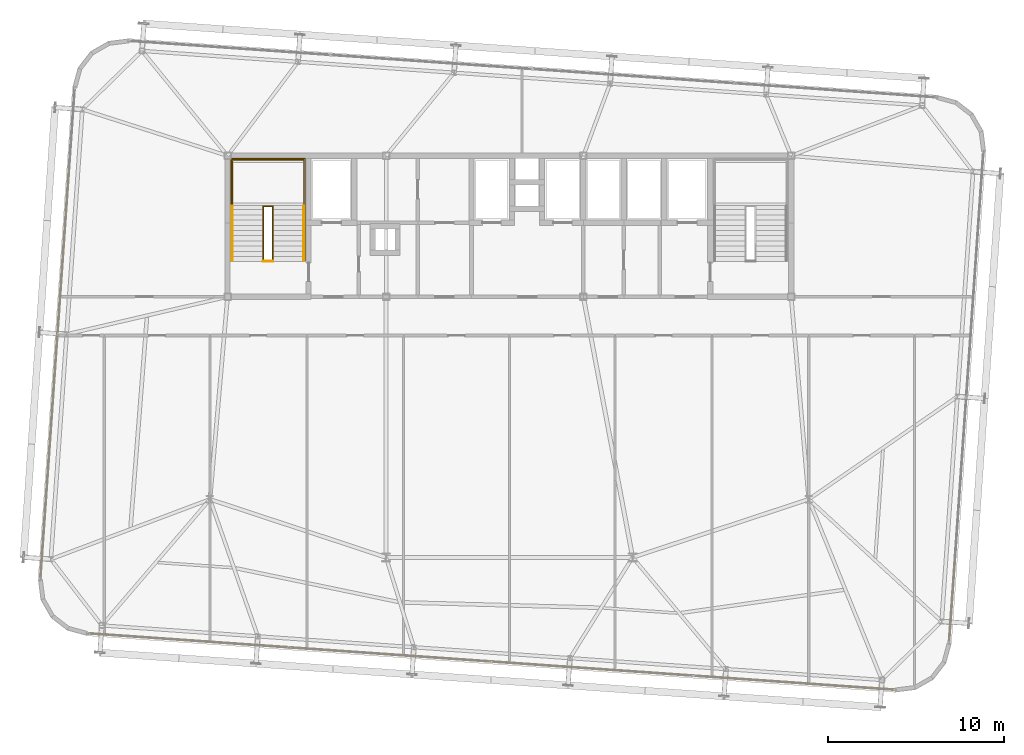
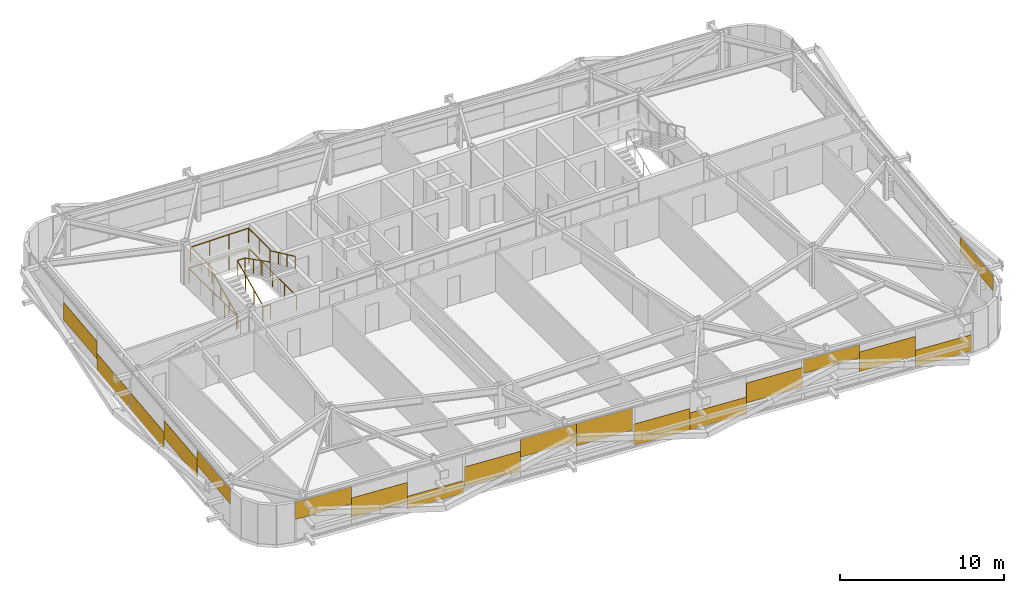
# One storey, part 38 of 39: 18 coverings, 6 railings.
"""IFC4 building model written with IfcOpenShell, lengths in metres."""

from ifc_helpers import new_model, si_unit, direction, frame, origin, origin_2d, place, context, subcontext, project, spatial, rectangle, extrude, source, transform, mapped, material, layer, layer_set, type_object, element, save


model = new_model("IFC4")

# Units and contexts
model_context = context("Model", 3, precision=1e-05, world=origin(), true_north=direction((0.0, 1.0)))
body_context = subcontext(model_context, "Body", "Model", "MODEL_VIEW")
ifc_project = project(units=[si_unit("LENGTHUNIT", "METRE"), si_unit("AREAUNIT", "SQUARE_METRE"), si_unit("VOLUMEUNIT", "CUBIC_METRE"), si_unit("PLANEANGLEUNIT", "RADIAN"), si_unit("MASSUNIT", "GRAM", prefix="KILO")], contexts=[model_context])

# Site, building, storey
site_placement = place(None, origin())
site = spatial("IfcSite", under=ifc_project, at=site_placement, CompositionType="ELEMENT")
building_placement = place(site_placement, origin())
building = spatial("IfcBuilding", under=site, at=building_placement, Name="Taldren Reach Tower", CompositionType="ELEMENT")
storey_placement = place(building_placement, frame((0.0, 0.0, 123.550048828125)))
storey = spatial("IfcBuildingStorey", under=building, at=storey_placement, Name="L37", CompositionType="ELEMENT", Elevation=123.550048828125)

# Railings
ifc_material_1 = material(Name="Steel Gr 350 (C350L0)", Category="steel")
ifc_layer_1 = layer(ifc_material_1, 0.050048828125)
ifc_layer_set_1 = layer_set([ifc_layer_1], Name="Steel Gr 350 (C350L0)")
railing_type_1 = type_object("IfcRailingType", Name="RL-STAIR-GR", PredefinedType="GUARDRAIL", material=ifc_layer_set_1)
railing_1_placement = place(storey_placement, frame((19.260009765625, 29.135009765625, 1.574951171875)))
element("IfcRailing", 1, at=railing_1_placement, inside=storey, type_object=railing_type_1, Name="Stair half-landing perimeter guard ST1-L37", PredefinedType="GUARDRAIL", context=body_context, shape_type="SweptSolid", body=[
    extrude(rectangle(XDim=0.047852, YDim=0.047852, at=origin_2d()), frame((0.0, 0.0, 1.09619140625), z_axis=(0.0, 1.0, 0.0), x_axis=(-1.0, 0.0, 0.0)), (0.0, 0.0, 1.0), 2.64501953125),
    extrude(rectangle(XDim=0.047852, YDim=0.047852, at=origin_2d()), frame((0.0, 2.64501953125, 1.09619140625), z_axis=(1.0, 0.0, 0.0), x_axis=(0.0, 1.0, 0.0)), (0.0, 0.0, 1.0), 4.080078125),
    extrude(rectangle(XDim=0.047852, YDim=0.047852, at=origin_2d()), frame((4.080078125, 2.64501953125, 1.09619140625), z_axis=(0.0, -1.0, 0.0), x_axis=(1.0, 0.0, 0.0)), (0.0, 0.0, 1.0), 2.64501953125),
    extrude(rectangle(XDim=0.041992, YDim=0.041992, at=origin_2d()), origin(), (0.0, 0.0, 1.0), 1.072021484375),
    extrude(rectangle(XDim=0.041992, YDim=0.041992, at=origin_2d()), frame((0.0, 1.322509765625, 0.0)), (0.0, 0.0, 1.0), 1.072021484375),
    extrude(rectangle(XDim=0.041992, YDim=0.041992, at=origin_2d()), frame((0.0, 2.64501953125, 0.0)), (0.0, 0.0, 1.0), 1.072021484375),
    extrude(rectangle(XDim=0.041992, YDim=0.041992, at=origin_2d()), frame((1.360107421875, 2.64501953125, 0.0)), (0.0, 0.0, 1.0), 1.072021484375),
    extrude(rectangle(XDim=0.041992, YDim=0.041992, at=origin_2d()), frame((2.719970703125, 2.64501953125, 0.0)), (0.0, 0.0, 1.0), 1.072021484375),
    extrude(rectangle(XDim=0.041992, YDim=0.041992, at=origin_2d()), frame((4.080078125, 2.64501953125, 0.0)), (0.0, 0.0, 1.0), 1.072021484375),
    extrude(rectangle(XDim=0.041992, YDim=0.041992, at=origin_2d()), frame((4.080078125, 1.322509765625, 0.0)), (0.0, 0.0, 1.0), 1.072021484375),
    extrude(rectangle(XDim=0.041992, YDim=0.041992, at=origin_2d()), frame((4.080078125, 0.0, 0.0)), (0.0, 0.0, 1.0), 1.072021484375),
])
railing_2_placement = place(storey_placement, frame((21.030029296875, 26.050048828125, 0.131103515625)))
element("IfcRailing", 2, at=railing_2_placement, inside=storey, type_object=railing_type_1, Name="Stairwell inner guard ST1-L37", PredefinedType="GUARDRAIL", context=body_context, shape_type="SweptSolid", body=[
    extrude(rectangle(XDim=0.047852, YDim=0.047852, at=origin_2d()), frame((0.0, 0.0, 1.09619140625), z_axis=(0.0, 0.905710134349, 0.423897573167), x_axis=(-1.0, 0.0, 0.0)), (0.0, 0.0, 1.0), 3.406005859375),
    extrude(rectangle(XDim=0.047852, YDim=0.047852, at=origin_2d()), frame((0.0, 3.0849609375, 2.5400390625), z_axis=(1.0, 0.0, 0.0), x_axis=(0.0, 1.0, 0.0)), (0.0, 0.0, 1.0), 0.5400390625),
    extrude(rectangle(XDim=0.047852, YDim=0.047852, at=origin_2d()), frame((0.5400390625, 3.0849609375, 2.5400390625), z_axis=(0.0, -0.890645957773, 0.45469745755), x_axis=(1.0, 0.0, 0.0)), (0.0, 0.0, 1.0), 3.463623046875),
    extrude(rectangle(XDim=0.041992, YDim=0.041992, at=origin_2d()), origin(), (0.0, 0.0, 1.0), 1.072021484375),
    extrude(rectangle(XDim=0.041992, YDim=0.041992, at=origin_2d()), frame((0.0, 1.0283203125, 0.481201171875)), (0.0, 0.0, 1.0), 1.072021484375),
    extrude(rectangle(XDim=0.041992, YDim=0.041992, at=origin_2d()), frame((0.0, 2.056640625, 0.962646484375)), (0.0, 0.0, 1.0), 1.072021484375),
    extrude(rectangle(XDim=0.041992, YDim=0.041992, at=origin_2d()), frame((0.0, 3.0849609375, 1.44384765625)), (0.0, 0.0, 1.0), 1.072021484375),
    extrude(rectangle(XDim=0.041992, YDim=0.041992, at=origin_2d()), frame((0.5400390625, 3.0849609375, 1.44384765625)), (0.0, 0.0, 1.0), 1.072021484375),
    extrude(rectangle(XDim=0.041992, YDim=0.041992, at=origin_2d()), frame((0.5400390625, 2.056640625, 1.96875)), (0.0, 0.0, 1.0), 1.072021484375),
    extrude(rectangle(XDim=0.041992, YDim=0.041992, at=origin_2d()), frame((0.5400390625, 1.0283203125, 2.493896484375)), (0.0, 0.0, 1.0), 1.072021484375),
    extrude(rectangle(XDim=0.041992, YDim=0.041992, at=origin_2d()), frame((0.5400390625, 0.0, 3.018798828125)), (0.0, 0.0, 1.0), 1.072021484375),
])
railing_3_placement = place(storey_placement, frame((21.030029296875, 26.010009765625, 0.0)))
element("IfcRailing", 3, at=railing_3_placement, inside=storey, type_object=railing_type_1, Name="Stairwell landing slot guard ST1-L37", PredefinedType="GUARDRAIL", context=body_context, shape_type="SweptSolid", body=[
    extrude(rectangle(XDim=0.047852, YDim=0.047852, at=origin_2d()), frame((0.0, 0.0, 1.09619140625), z_axis=(1.0, 0.0, 0.0), x_axis=(0.0, 1.0, 0.0)), (0.0, 0.0, 1.0), 0.5400390625),
    extrude(rectangle(XDim=0.041992, YDim=0.041992, at=origin_2d()), origin(), (0.0, 0.0, 1.0), 1.072021484375),
    extrude(rectangle(XDim=0.041992, YDim=0.041992, at=origin_2d()), frame((0.5400390625, 0.0, 0.0)), (0.0, 0.0, 1.0), 1.072021484375),
])
railing_4_placement = place(storey_placement, frame((19.18994140625, 26.050048828125, 0.0)))
element("IfcRailing", 4, at=railing_4_placement, inside=storey, type_object=railing_type_1, Name="Stairwell floor opening guard ST1-L37", PredefinedType="GUARDRAIL", context=body_context, shape_type="SweptSolid", body=[
    extrude(rectangle(XDim=0.047852, YDim=0.047852, at=origin_2d()), frame((0.0, 0.0, 1.09619140625), z_axis=(0.0, 1.0, 0.0), x_axis=(-1.0, 0.0, 0.0)), (0.0, 0.0, 1.0), 5.800048828125),
    extrude(rectangle(XDim=0.047852, YDim=0.047852, at=origin_2d()), frame((0.0, 5.800048828125, 1.09619140625), z_axis=(1.0, 0.0, 0.0), x_axis=(0.0, 1.0, 0.0)), (0.0, 0.0, 1.0), 4.219970703125),
    extrude(rectangle(XDim=0.047852, YDim=0.047852, at=origin_2d()), frame((4.219970703125, 5.800048828125, 1.09619140625), z_axis=(0.0, -1.0, 0.0), x_axis=(1.0, 0.0, 0.0)), (0.0, 0.0, 1.0), 5.800048828125),
    extrude(rectangle(XDim=0.041992, YDim=0.041992, at=origin_2d()), origin(), (0.0, 0.0, 1.0), 1.072021484375),
    extrude(rectangle(XDim=0.041992, YDim=0.041992, at=origin_2d()), frame((0.0, 1.449951171875, 0.0)), (0.0, 0.0, 1.0), 1.072021484375),
    extrude(rectangle(XDim=0.041992, YDim=0.041992, at=origin_2d()), frame((0.0, 2.89990234375, 0.0)), (0.0, 0.0, 1.0), 1.072021484375),
    extrude(rectangle(XDim=0.041992, YDim=0.041992, at=origin_2d()), frame((0.0, 4.35009765625, 0.0)), (0.0, 0.0, 1.0), 1.072021484375),
    extrude(rectangle(XDim=0.041992, YDim=0.041992, at=origin_2d()), frame((0.0, 5.800048828125, 0.0)), (0.0, 0.0, 1.0), 1.072021484375),
    extrude(rectangle(XDim=0.041992, YDim=0.041992, at=origin_2d()), frame((1.40673828125, 5.800048828125, 0.0)), (0.0, 0.0, 1.0), 1.072021484375),
    extrude(rectangle(XDim=0.041992, YDim=0.041992, at=origin_2d()), frame((2.813232421875, 5.800048828125, 0.0)), (0.0, 0.0, 1.0), 1.072021484375),
    extrude(rectangle(XDim=0.041992, YDim=0.041992, at=origin_2d()), frame((4.219970703125, 5.800048828125, 0.0)), (0.0, 0.0, 1.0), 1.072021484375),
    extrude(rectangle(XDim=0.041992, YDim=0.041992, at=origin_2d()), frame((4.219970703125, 4.35009765625, 0.0)), (0.0, 0.0, 1.0), 1.072021484375),
    extrude(rectangle(XDim=0.041992, YDim=0.041992, at=origin_2d()), frame((4.219970703125, 2.89990234375, 0.0)), (0.0, 0.0, 1.0), 1.072021484375),
    extrude(rectangle(XDim=0.041992, YDim=0.041992, at=origin_2d()), frame((4.219970703125, 1.449951171875, 0.0)), (0.0, 0.0, 1.0), 1.072021484375),
    extrude(rectangle(XDim=0.041992, YDim=0.041992, at=origin_2d()), frame((4.219970703125, 0.0, 0.0)), (0.0, 0.0, 1.0), 1.072021484375),
])
ifc_material_2 = material(Name="Stainless Steel Gr 316", Category="steel")
ifc_layer_2 = layer(ifc_material_2, 0.048095703125)
ifc_layer_set_2 = layer_set([ifc_layer_2], Name="Stainless Steel Gr 316")
railing_type_2 = type_object("IfcRailingType", Name="RL-STAIR-HR", PredefinedType="HANDRAIL", material=ifc_layer_set_2)
railing_5_placement = place(storey_placement, frame((19.27001953125, 26.050048828125, 0.131103515625)))
element("IfcRailing", 5, at=railing_5_placement, inside=storey, type_object=railing_type_2, Name="Stair flight handrail ST1-L37-1", PredefinedType="HANDRAIL", context=body_context, shape_type="SweptSolid", body=[
    extrude(rectangle(XDim=0.047852, YDim=0.047852, at=origin_2d()), frame((0.0, 0.0, 0.89599609375), z_axis=(0.0, 0.905710134349, 0.423897573167), x_axis=(-1.0, 0.0, 0.0)), (0.0, 0.0, 1.0), 3.406005859375),
    extrude(rectangle(XDim=0.041992, YDim=0.041992, at=origin_2d()), origin(), (0.0, 0.0, 1.0), 0.871826171875),
    extrude(rectangle(XDim=0.041992, YDim=0.041992, at=origin_2d()), frame((0.0, 1.0283203125, 0.481201171875)), (0.0, 0.0, 1.0), 0.871826171875),
    extrude(rectangle(XDim=0.041992, YDim=0.041992, at=origin_2d()), frame((0.0, 2.056640625, 0.962646484375)), (0.0, 0.0, 1.0), 0.871826171875),
    extrude(rectangle(XDim=0.041992, YDim=0.041992, at=origin_2d()), frame((0.0, 3.0849609375, 1.44384765625)), (0.0, 0.0, 1.0), 0.871826171875),
])
railing_6_placement = place(storey_placement, frame((23.330078125, 29.135009765625, 1.7060546875)))
element("IfcRailing", 6, at=railing_6_placement, inside=storey, type_object=railing_type_2, Name="Stair flight handrail ST1-L37-2", PredefinedType="HANDRAIL", context=body_context, shape_type="SweptSolid", body=[
    extrude(rectangle(XDim=0.047852, YDim=0.047852, at=origin_2d()), frame((0.0, 0.0, 0.89599609375), z_axis=(0.0, -0.905710134349, 0.423897573167), x_axis=(1.0, 0.0, 0.0)), (0.0, 0.0, 1.0), 3.406005859375),
    extrude(rectangle(XDim=0.041992, YDim=0.041992, at=origin_2d()), origin(), (0.0, 0.0, 1.0), 0.871826171875),
    extrude(rectangle(XDim=0.041992, YDim=0.041992, at=origin_2d()), frame((0.0, -1.0283203125, 0.481201171875)), (0.0, 0.0, 1.0), 0.871826171875),
    extrude(rectangle(XDim=0.041992, YDim=0.041992, at=origin_2d()), frame((0.0, -2.056640625, 0.962646484375)), (0.0, 0.0, 1.0), 0.871826171875),
    extrude(rectangle(XDim=0.041992, YDim=0.041992, at=origin_2d()), frame((0.0, -3.0849609375, 1.44384765625)), (0.0, 0.0, 1.0), 0.871826171875),
])

# Coverings
ifc_material_3 = material(Name="Pale Champagne Fluoropolymer Aluminium Spandrel Cladding", Category="aluminium")
ifc_layer_3 = layer(ifc_material_3, 0.0439453125)
ifc_layer_set_3 = layer_set([ifc_layer_3], Name="Pale Champagne Fluoropolymer Aluminium Spandrel Cladding")
covering_type = type_object("IfcCoveringType", Name="CV-CLAD-044", PredefinedType="CLADDING", material=ifc_layer_set_3)
shared_shape_1 = source(origin(), body_context, "Body", "SweptSolid", [
    extrude(rectangle(XDim=3.79833984375, YDim=0.0439453125, at=origin_2d()), origin(), (0.0, 0.0, 1.0), 1.22216796875),
])
covering_1_placement = place(storey_placement, frame((54.95361328125, 1.81396484375, 0.054931640625), z_axis=(0.0, 0.0, 1.0), x_axis=(0.99756404731, -0.06975651593, 0.0)))
element("IfcCovering", 7, at=covering_1_placement, inside=storey, type_object=covering_type, Name="Diagrid closure cladding strip CW-4 panel 4.1 3", PredefinedType="CLADDING", context=body_context, shape_type="MappedRepresentation", body=[
    mapped(shared_shape_1, transform((0.0, 0.0, 0.0), scale=1.0)),
])
shared_shape_2 = source(origin(), body_context, "Body", "SweptSolid", [
    extrude(rectangle(XDim=3.79833984375, YDim=0.0439453125, at=origin_2d()), origin(), (0.0, 0.0, 1.0), 1.474365234375),
])
for number, where, z_axis, x_axis, name in (
    (8, (16.783447265625, 4.483154296875, 0.55322265625), (0.0, 0.0, 1.0), (0.99756404731, -0.06975651593, 0.0), "Diagrid closure cladding strip CW-4 panel 1.1 2"),
    (9, (51.16455078125, 2.0791015625, 0.84228515625), (0.0, 0.0, 1.0), (0.99756404731, -0.06975651593, 0.0), "Diagrid closure cladding strip CW-4 panel 4.1 2"),
):
    element("IfcCovering", number, at=place(storey_placement, frame(where, z_axis=z_axis, x_axis=x_axis)), inside=storey, type_object=covering_type, Name=name, PredefinedType="CLADDING", context=body_context, shape_type="MappedRepresentation", body=[
        mapped(shared_shape_2, transform((0.0, 0.0, 0.0), scale=1.0)),
    ])
shared_shape_3 = source(origin(), body_context, "Body", "SweptSolid", [
    extrude(rectangle(XDim=3.79833984375, YDim=0.0439453125, at=origin_2d()), origin(), (0.0, 0.0, 1.0), 0.993408203125),
])
covering_2_placement = place(storey_placement, frame((47.375244140625, 2.343994140625, 1.88134765625), z_axis=(0.0, 0.0, 1.0), x_axis=(0.99756404731, -0.06975651593, 0.0)))
element("IfcCovering", 10, at=covering_2_placement, inside=storey, type_object=covering_type, Name="Diagrid closure cladding strip CW-4 panel 4.1 1", PredefinedType="CLADDING", context=body_context, shape_type="MappedRepresentation", body=[
    mapped(shared_shape_3, transform((0.0, 0.0, 0.0), scale=1.0)),
])
shared_shape_4 = source(origin(), body_context, "Body", "SweptSolid", [
    extrude(rectangle(XDim=3.81005859375, YDim=0.0439453125, at=origin_2d()), origin(), (0.0, 0.0, 1.0), 1.477783203125),
])
for number, where, z_axis, x_axis, name in (
    (11, (24.437255859375, 3.947998046875, 0.509765625), (0.0, 0.0, 1.0), (0.99756404731, -0.06975651593, 0.0), "Diagrid closure cladding strip CW-4 panel 2.1 1"),
    (12, (43.510498046875, 2.6142578125, 0.88232421875), (0.0, 0.0, 1.0), (0.99756404731, -0.06975651593, 0.0), "Diagrid closure cladding strip CW-4 panel 3.1 3"),
):
    element("IfcCovering", number, at=place(storey_placement, frame(where, z_axis=z_axis, x_axis=x_axis)), inside=storey, type_object=covering_type, Name=name, PredefinedType="CLADDING", context=body_context, shape_type="MappedRepresentation", body=[
        mapped(shared_shape_4, transform((0.0, 0.0, 0.0), scale=1.0)),
    ])
shared_shape_5 = source(origin(), body_context, "Body", "SweptSolid", [
    extrude(rectangle(XDim=3.81005859375, YDim=0.0439453125, at=origin_2d()), origin(), (0.0, 0.0, 1.0), 1.26220703125),
])
covering_3_placement = place(storey_placement, frame((39.7099609375, 2.8798828125, 0.054931640625), z_axis=(0.0, 0.0, 1.0), x_axis=(0.99756404731, -0.06975651593, 0.0)))
element("IfcCovering", 13, at=covering_3_placement, inside=storey, type_object=covering_type, Name="Diagrid closure cladding strip CW-4 panel 3.1 2", PredefinedType="CLADDING", context=body_context, shape_type="MappedRepresentation", body=[
    mapped(shared_shape_5, transform((0.0, 0.0, 0.0), scale=1.0)),
])
shared_shape_6 = source(origin(), body_context, "Body", "SweptSolid", [
    extrude(rectangle(XDim=3.81005859375, YDim=0.0439453125, at=origin_2d()), origin(), (0.0, 0.0, 1.0), 1.587890625),
])
covering_4_placement = place(storey_placement, frame((35.9091796875, 3.145751953125, 0.054931640625), z_axis=(0.0, 0.0, 1.0), x_axis=(0.99756404731, -0.06975651593, 0.0)))
element("IfcCovering", 14, at=covering_4_placement, inside=storey, type_object=covering_type, Name="Diagrid closure cladding strip CW-4 panel 3.1 1", PredefinedType="CLADDING", context=body_context, shape_type="MappedRepresentation", body=[
    mapped(shared_shape_6, transform((0.0, 0.0, 0.0), scale=1.0)),
])
shared_shape_7 = source(origin(), body_context, "Body", "SweptSolid", [
    extrude(rectangle(XDim=3.81005859375, YDim=0.0439453125, at=origin_2d()), origin(), (0.0, 0.0, 1.0), 1.64794921875),
])
covering_5_placement = place(storey_placement, frame((32.03857421875, 3.41650390625, 1.22705078125), z_axis=(0.0, 0.0, 1.0), x_axis=(0.99756404731, -0.06975651593, 0.0)))
element("IfcCovering", 15, at=covering_5_placement, inside=storey, type_object=covering_type, Name="Diagrid closure cladding strip CW-4 panel 2.1 3", PredefinedType="CLADDING", context=body_context, shape_type="MappedRepresentation", body=[
    mapped(shared_shape_7, transform((0.0, 0.0, 0.0), scale=1.0)),
])
shared_shape_8 = source(origin(), body_context, "Body", "SweptSolid", [
    extrude(rectangle(XDim=3.81005859375, YDim=0.0439453125, at=origin_2d()), origin(), (0.0, 0.0, 1.0), 1.322265625),
])
covering_6_placement = place(storey_placement, frame((28.23779296875, 3.68212890625, 1.552734375), z_axis=(0.0, 0.0, 1.0), x_axis=(0.99756404731, -0.06975651593, 0.0)))
element("IfcCovering", 16, at=covering_6_placement, inside=storey, type_object=covering_type, Name="Diagrid closure cladding strip CW-4 panel 2.1 2", PredefinedType="CLADDING", context=body_context, shape_type="MappedRepresentation", body=[
    mapped(shared_shape_8, transform((0.0, 0.0, 0.0), scale=1.0)),
])
shared_shape_9 = source(origin(), body_context, "Body", "SweptSolid", [
    extrude(rectangle(XDim=3.79833984375, YDim=0.0439453125, at=origin_2d()), origin(), (0.0, 0.0, 1.0), 0.93359375),
])
covering_7_placement = place(storey_placement, frame((20.572509765625, 4.21826171875, 0.054931640625), z_axis=(0.0, 0.0, 1.0), x_axis=(0.99756404731, -0.06975651593, 0.0)))
element("IfcCovering", 17, at=covering_7_placement, inside=storey, type_object=covering_type, Name="Diagrid closure cladding strip CW-4 panel 1.1 3", PredefinedType="CLADDING", context=body_context, shape_type="MappedRepresentation", body=[
    mapped(shared_shape_9, transform((0.0, 0.0, 0.0), scale=1.0)),
])
shared_shape_10 = source(origin(), body_context, "Body", "SweptSolid", [
    extrude(rectangle(XDim=3.79833984375, YDim=0.0439453125, at=origin_2d()), origin(), (0.0, 0.0, 1.0), 1.2822265625),
])
covering_8_placement = place(storey_placement, frame((12.994384765625, 4.748046875, 1.5927734375), z_axis=(0.0, 0.0, 1.0), x_axis=(0.99756404731, -0.06975651593, 0.0)))
element("IfcCovering", 18, at=covering_8_placement, inside=storey, type_object=covering_type, Name="Diagrid closure cladding strip CW-4 panel 1.1 1", PredefinedType="CLADDING", context=body_context, shape_type="MappedRepresentation", body=[
    mapped(shared_shape_10, transform((0.0, 0.0, 0.0), scale=1.0)),
])
shared_shape_11 = source(origin(), body_context, "Body", "SweptSolid", [
    extrude(rectangle(XDim=4.631591796875, YDim=0.0439453125, at=origin_2d()), origin(), (0.0, 0.0, 1.0), 1.306640625),
])
for number, where, z_axis, x_axis, name in (
    (19, (9.840087890625, 28.869384765625, 0.892333984375), (0.0, 0.0, 1.0), (-0.069756437251, -0.997564052812, 0.0), "Diagrid closure cladding strip CW-4 panel 1.1 2"),
    (20, (8.865966796875, 14.9384765625, 0.892333984375), (0.0, 0.0, 1.0), (-0.069756437251, -0.997564052812, 0.0), "Diagrid closure cladding strip CW-4 panel 2.1 2"),
):
    element("IfcCovering", number, at=place(storey_placement, frame(where, z_axis=z_axis, x_axis=x_axis)), inside=storey, type_object=covering_type, Name=name, PredefinedType="CLADDING", context=body_context, shape_type="MappedRepresentation", body=[
        mapped(shared_shape_11, transform((0.0, 0.0, 0.0), scale=1.0)),
    ])
shared_shape_12 = source(origin(), body_context, "Body", "SweptSolid", [
    extrude(rectangle(XDim=4.631591796875, YDim=0.0439453125, at=origin_2d()), origin(), (0.0, 0.0, 1.0), 1.103515625),
])
for number, where, z_axis, x_axis, name in (
    (21, (8.542724609375, 10.318115234375, 1.771484375), (0.0, 0.0, 1.0), (-0.069756437251, -0.997564052812, 0.0), "Diagrid closure cladding strip CW-4 panel 2.1 3"),
    (22, (60.136962890625, 6.710205078125, 1.771484375), (0.0, 0.0, 1.0), (0.069756437251, 0.997564052812, 0.0), "Diagrid closure cladding strip CW-4 panel 1.1 1"),
):
    element("IfcCovering", number, at=place(storey_placement, frame(where, z_axis=z_axis, x_axis=x_axis)), inside=storey, type_object=covering_type, Name=name, PredefinedType="CLADDING", context=body_context, shape_type="MappedRepresentation", body=[
        mapped(shared_shape_12, transform((0.0, 0.0, 0.0), scale=1.0)),
    ])
shared_shape_13 = source(origin(), body_context, "Body", "SweptSolid", [
    extrude(rectangle(XDim=4.631591796875, YDim=0.0439453125, at=origin_2d()), origin(), (0.0, 0.0, 1.0), 1.2646484375),
])
for number, where, z_axis, x_axis, name in (
    (23, (9.51708984375, 24.2490234375, 0.054931640625), (0.0, 0.0, 1.0), (-0.069756437251, -0.997564052812, 0.0), "Diagrid closure cladding strip CW-4 panel 1.1 3"),
    (24, (9.18896484375, 19.558837890625, 0.054931640625), (0.0, 0.0, 1.0), (-0.069756437251, -0.997564052812, 0.0), "Diagrid closure cladding strip CW-4 panel 2.1 1"),
):
    element("IfcCovering", number, at=place(storey_placement, frame(where, z_axis=z_axis, x_axis=x_axis)), inside=storey, type_object=covering_type, Name=name, PredefinedType="CLADDING", context=body_context, shape_type="MappedRepresentation", body=[
        mapped(shared_shape_13, transform((0.0, 0.0, 0.0), scale=1.0)),
    ])

save(model, "model.ifc")
